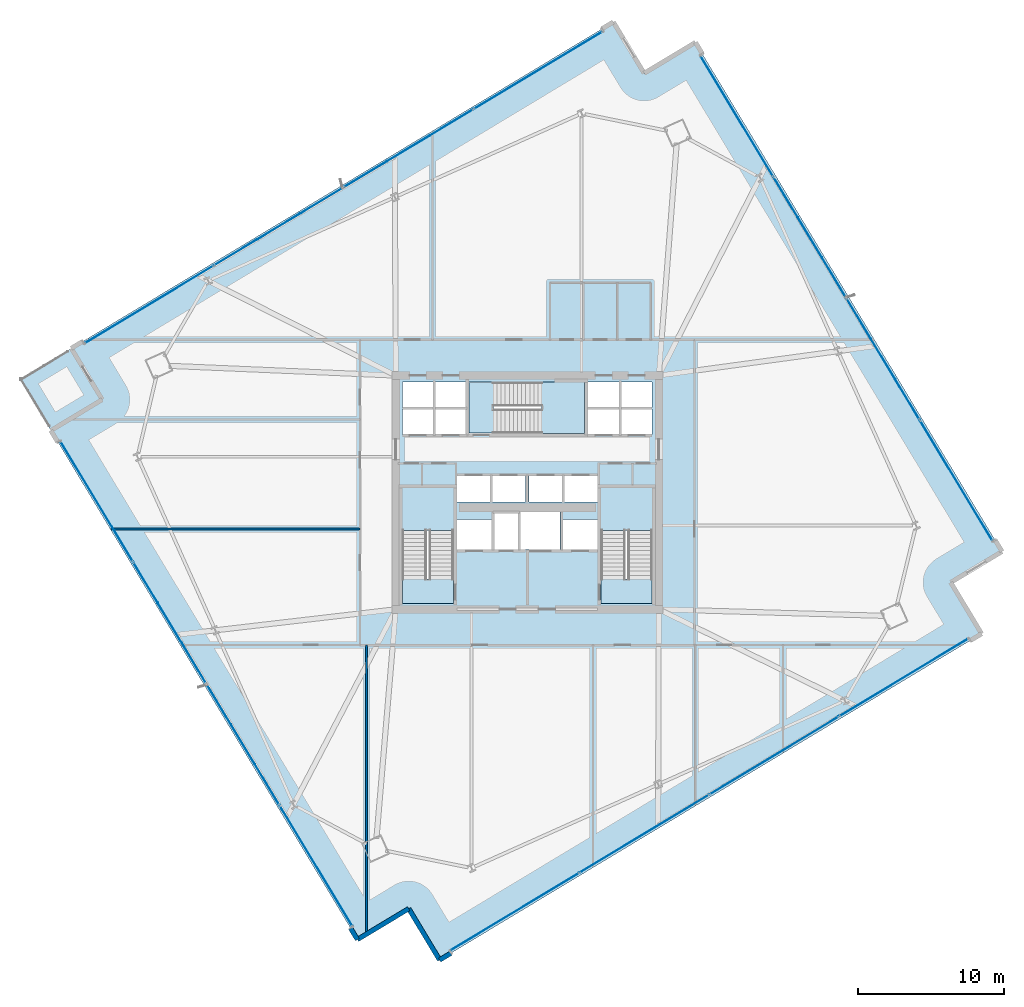
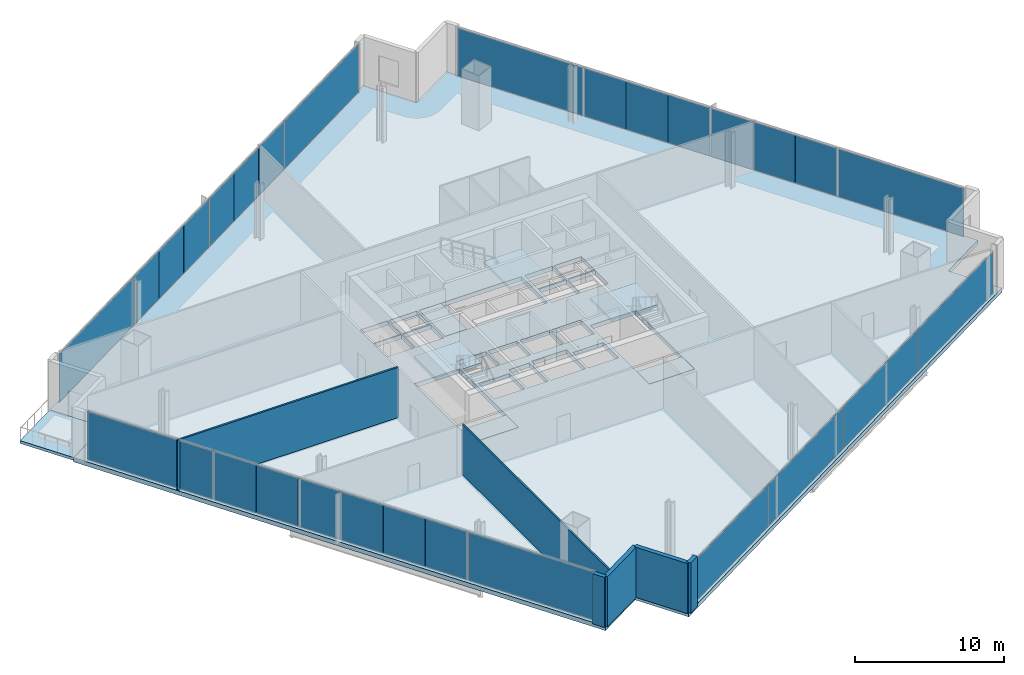
# One storey, part 22 of 30: 28 plates, 8 slabs, 6 walls, 7 elements without a shape of their own.
"""IFC4 building model written with IfcOpenShell, lengths in metres."""

from ifc_helpers import new_model, si_unit, direction, frame, frame_2d, origin, origin_2d, place, context, subcontext, project, spatial, polyline, rectangle, outline, extrude, source, transform, mapped, material, layer, layer_set, type_object, element, aggregate, save


model = new_model("IFC4")

# Units and contexts
model_context = context("Model", 3, precision=1e-05, world=origin(), true_north=direction((0.0, 1.0)))
body_context = subcontext(model_context, "Body", "Model", "MODEL_VIEW")
ifc_project = project(units=[si_unit("LENGTHUNIT", "METRE"), si_unit("AREAUNIT", "SQUARE_METRE"), si_unit("VOLUMEUNIT", "CUBIC_METRE"), si_unit("PLANEANGLEUNIT", "RADIAN"), si_unit("MASSUNIT", "GRAM", prefix="KILO")], contexts=[model_context])

# Site, building, storey
site_placement = place(None, origin())
site = spatial("IfcSite", under=ifc_project, at=site_placement, CompositionType="ELEMENT")
building_placement = place(site_placement, origin())
building = spatial("IfcBuilding", under=site, at=building_placement, Name="Haldenkirk Collegiate Tower", CompositionType="ELEMENT")
storey_placement = place(building_placement, frame((0.0, 0.0, 131.699951171875)))
storey = spatial("IfcBuildingStorey", under=building, at=storey_placement, Name="L32", CompositionType="ELEMENT", Elevation=131.699951171875)

# Slab
ifc_material_1 = material(Name="Concrete f'c 40 MPa", Category="concrete")
ifc_layer_1 = layer(ifc_material_1, 0.35009765625)
ifc_layer_set_1 = layer_set([ifc_layer_1], Name="Concrete f'c 40 MPa")
slab_type_1 = type_object("IfcSlabType", Name="SLB-FLR-350", PredefinedType="FLOOR", material=ifc_layer_set_1)
slab_1_placement = place(storey_placement, frame((0.0, 0.0, -0.349853515625)))
element("IfcSlab", 1, at=slab_1_placement, inside=storey, type_object=slab_type_1, Name="L32 composite structural floor slab", PredefinedType="FLOOR", context=body_context, shape_type="SweptSolid", body=[
    extrude(outline(polyline([(29.99853515625, -6.00634765625), (67.094482421875, 16.3271484375), (64.979736328125, 19.839599609375), (68.4921875, 21.954345703125), (47.5126953125, 56.801513671875), (44.0, 54.6865234375), (41.885498046875, 58.19921875), (4.78955078125, 35.86572265625), (6.904296875, 32.35302734375), (3.3916015625, 30.23828125), (24.371337890625, -4.608642578125), (27.8837890625, -2.493896484375), (29.99853515625, -6.00634765625)]), holes=[polyline([(27.449951171875, 18.39990234375), (30.949951171875, 18.39990234375), (30.949951171875, 26.300048828125), (27.449951171875, 26.300048828125), (27.449951171875, 18.39990234375)]), polyline([(41.050048828125, 18.39990234375), (44.550048828125, 18.39990234375), (44.550048828125, 26.300048828125), (41.050048828125, 26.300048828125), (41.050048828125, 18.39990234375)]), polyline([(32.0, 30.050048828125), (39.89990234375, 30.050048828125), (39.89990234375, 33.550048828125), (32.0, 33.550048828125), (32.0, 30.050048828125)]), polyline([(33.75, 22.10009765625), (35.35009765625, 22.10009765625), (35.35009765625, 24.550048828125), (33.75, 24.550048828125), (33.75, 22.10009765625)]), polyline([(27.449951171875, 29.949951171875), (29.580078125, 29.949951171875), (29.580078125, 31.699951171875), (27.449951171875, 31.699951171875), (27.449951171875, 29.949951171875)]), polyline([(29.679931640625, 29.949951171875), (31.85009765625, 29.949951171875), (31.85009765625, 31.699951171875), (29.679931640625, 31.699951171875), (29.679931640625, 29.949951171875)]), polyline([(27.449951171875, 31.800048828125), (29.580078125, 31.800048828125), (29.580078125, 33.550048828125), (27.449951171875, 33.550048828125), (27.449951171875, 31.800048828125)]), polyline([(29.679931640625, 31.800048828125), (31.85009765625, 31.800048828125), (31.85009765625, 33.550048828125), (29.679931640625, 33.550048828125), (29.679931640625, 31.800048828125)]), polyline([(40.14990234375, 29.949951171875), (42.320068359375, 29.949951171875), (42.320068359375, 31.699951171875), (40.14990234375, 31.699951171875), (40.14990234375, 29.949951171875)]), polyline([(42.419921875, 29.949951171875), (44.550048828125, 29.949951171875), (44.550048828125, 31.699951171875), (42.419921875, 31.699951171875), (42.419921875, 29.949951171875)]), polyline([(40.14990234375, 31.800048828125), (42.320068359375, 31.800048828125), (42.320068359375, 33.550048828125), (40.14990234375, 33.550048828125), (40.14990234375, 31.800048828125)]), polyline([(42.419921875, 31.800048828125), (44.550048828125, 31.800048828125), (44.550048828125, 33.550048828125), (42.419921875, 33.550048828125), (42.419921875, 31.800048828125)]), polyline([(31.199951171875, 25.35009765625), (33.47998046875, 25.35009765625), (33.47998046875, 27.14990234375), (31.199951171875, 27.14990234375), (31.199951171875, 25.35009765625)]), polyline([(33.60009765625, 25.35009765625), (35.8798828125, 25.35009765625), (35.8798828125, 27.14990234375), (33.60009765625, 27.14990234375), (33.60009765625, 25.35009765625)]), polyline([(36.1201171875, 25.35009765625), (38.39990234375, 25.35009765625), (38.39990234375, 27.14990234375), (36.1201171875, 27.14990234375), (36.1201171875, 25.35009765625)]), polyline([(38.52001953125, 25.35009765625), (40.800048828125, 25.35009765625), (40.800048828125, 27.14990234375), (38.52001953125, 27.14990234375), (38.52001953125, 25.35009765625)]), polyline([(31.199951171875, 22.10009765625), (33.550048828125, 22.10009765625), (33.550048828125, 24.14990234375), (31.199951171875, 24.14990234375), (31.199951171875, 22.10009765625)]), polyline([(38.449951171875, 22.10009765625), (40.800048828125, 22.10009765625), (40.800048828125, 24.14990234375), (38.449951171875, 24.14990234375), (38.449951171875, 22.10009765625)]), polyline([(35.550048828125, 22.10009765625), (38.25, 22.10009765625), (38.25, 24.64990234375), (35.550048828125, 24.64990234375), (35.550048828125, 22.10009765625)])]), origin(), (0.0, 0.0, 1.0), 0.349853515625),
])

# Stair, slab
stair_type = type_object("IfcStairType", Name="STR-DOGLEG-1650", PredefinedType="HALF_TURN_STAIR", material=ifc_material_1)
stair_1_placement = place(storey_placement, origin())
stair_1 = element("IfcStair", 2, at=stair_1_placement, inside=storey, type_object=stair_type, Name="L32 Core Exit Stair ST-1", PredefinedType="HALF_TURN_STAIR")
ifc_layer_2 = layer(ifc_material_1, 0.199951171875)
ifc_layer_set_2 = layer_set([ifc_layer_2], Name="Concrete f'c 40 MPa")
slab_type_2 = type_object("IfcSlabType", Name="SLB-LANDING-200", PredefinedType="LANDING", material=ifc_layer_set_2)
slab_2_placement = place(storey_placement, frame((0.0, 0.0, 2.050048828125)))
slab_2 = element("IfcSlab", 3, at=slab_2_placement, type_object=slab_type_2, Name="ST-1 landing 1", PredefinedType="LANDING", context=body_context, shape_type="SweptSolid", body=[
    extrude(outline(polyline([(30.97509765625, 23.385009765625), (27.425048828125, 23.385009765625), (27.425048828125, 26.324951171875), (30.97509765625, 26.324951171875), (30.97509765625, 23.385009765625)])), origin(), (0.0, 0.0, 1.0), 0.199951171875),
])
aggregate(stair_1, [slab_2])

stair_2_placement = place(storey_placement, origin())
stair_2 = element("IfcStair", 4, at=stair_2_placement, inside=storey, type_object=stair_type, Name="L32 Core Exit Stair ST-2", PredefinedType="HALF_TURN_STAIR")
slab_3_placement = place(storey_placement, frame((0.0, 0.0, 2.050048828125)))
slab_3 = element("IfcSlab", 5, at=slab_3_placement, type_object=slab_type_2, Name="ST-2 landing 1", PredefinedType="LANDING", context=body_context, shape_type="SweptSolid", body=[
    extrude(outline(polyline([(44.574951171875, 23.385009765625), (41.02490234375, 23.385009765625), (41.02490234375, 26.324951171875), (44.574951171875, 26.324951171875), (44.574951171875, 23.385009765625)])), origin(), (0.0, 0.0, 1.0), 0.199951171875),
])
aggregate(stair_2, [slab_3])

stair_3_placement = place(storey_placement, origin())
stair_3 = element("IfcStair", 6, at=stair_3_placement, inside=storey, type_object=stair_type, Name="L32 Core Exit Stair ST-3", PredefinedType="HALF_TURN_STAIR")
slab_4_placement = place(storey_placement, frame((0.0, 0.0, 2.050048828125)))
slab_4 = element("IfcSlab", 7, at=slab_4_placement, type_object=slab_type_2, Name="ST-3 landing 1", PredefinedType="LANDING", context=body_context, shape_type="SweptSolid", body=[
    extrude(outline(polyline([(36.985107421875, 30.02490234375), (36.985107421875, 33.574951171875), (39.925048828125, 33.574951171875), (39.925048828125, 30.02490234375), (36.985107421875, 30.02490234375)])), origin(), (0.0, 0.0, 1.0), 0.199951171875),
])
aggregate(stair_3, [slab_4])

# Slabs
ifc_layer_3 = layer(ifc_material_1, 0.25)
ifc_layer_set_3 = layer_set([ifc_layer_3], Name="Concrete f'c 40 MPa")
slab_type_3 = type_object("IfcSlabType", Name="SLB-STAIRLAND-250", PredefinedType="LANDING", material=ifc_layer_set_3)
slab_5_placement = place(storey_placement, frame((0.0, 0.0, -0.25)))
element("IfcSlab", 8, at=slab_5_placement, inside=storey, type_object=slab_type_3, Name="L32 stair ST1 structural floor landing slab", PredefinedType="LANDING", context=body_context, shape_type="SweptSolid", body=[
    extrude(outline(polyline([(27.4599609375, 18.409912109375), (30.93994140625, 18.409912109375), (30.93994140625, 20.080078125), (27.4599609375, 20.080078125), (27.4599609375, 18.409912109375)])), origin(), (0.0, 0.0, 1.0), 0.25),
])
slab_6_placement = place(storey_placement, frame((0.0, 0.0, -0.25)))
element("IfcSlab", 9, at=slab_6_placement, inside=storey, type_object=slab_type_3, Name="L32 stair ST2 structural floor landing slab", PredefinedType="LANDING", context=body_context, shape_type="SweptSolid", body=[
    extrude(outline(polyline([(41.06005859375, 18.409912109375), (44.5400390625, 18.409912109375), (44.5400390625, 20.080078125), (41.06005859375, 20.080078125), (41.06005859375, 18.409912109375)])), origin(), (0.0, 0.0, 1.0), 0.25),
])
slab_7_placement = place(storey_placement, frame((0.0, 0.0, -0.25)))
element("IfcSlab", 10, at=slab_7_placement, inside=storey, type_object=slab_type_3, Name="L32 stair ST3 structural floor landing slab", PredefinedType="LANDING", context=body_context, shape_type="SweptSolid", body=[
    extrude(outline(polyline([(32.010009765625, 30.06005859375), (33.679931640625, 30.06005859375), (33.679931640625, 33.5400390625), (32.010009765625, 33.5400390625), (32.010009765625, 30.06005859375)])), origin(), (0.0, 0.0, 1.0), 0.25),
])
ifc_layer_4 = layer(ifc_material_1, 0.22998046875)
ifc_layer_set_4 = layer_set([ifc_layer_4], Name="Concrete f'c 40 MPa")
slab_type_4 = type_object("IfcSlabType", Name="SLB-TERR-SPIRAL-230", PredefinedType="FLOOR", material=ifc_layer_set_4)
slab_8_placement = place(storey_placement, frame((0.0, 0.0, -0.22998046875)))
element("IfcSlab", 11, at=slab_8_placement, inside=storey, type_object=slab_type_4, Name="L32 spiralling corner terrace slab", PredefinedType="FLOOR", context=body_context, shape_type="SweptSolid", body=[
    extrude(outline(polyline([(3.3916015625, 30.23828125), (6.904296875, 32.35302734375), (4.78955078125, 35.86572265625), (1.277099609375, 33.7509765625), (3.3916015625, 30.23828125)])), origin(), (0.0, 0.0, 1.0), 0.22998046875),
])

# Curtain wall, plates
ifc_material_2 = material(Name="Anodised architectural bronze aluminium", Category="aluminium")
curtain_wall_type_1 = type_object("IfcCurtainWallType", Name="CW-SYS2-CONCAVE", PredefinedType="USERDEFINED", material=ifc_material_2)
curtain_wall_1_placement = place(storey_placement, origin())
curtain_wall_1 = element("IfcCurtainWall", 12, at=curtain_wall_1_placement, inside=storey, type_object=curtain_wall_type_1, Name="L32 South concave recessed bronze-anodised curtain wall", ObjectType="UNITISED CURTAIN WALL", PredefinedType="USERDEFINED")
ifc_material_3 = material(Name="Low-E argon triple insulating glass", Category="glass")
ifc_layer_5 = layer(ifc_material_3, 0.0419921875)
ifc_layer_set_5 = layer_set([ifc_layer_5], Name="Low-E argon triple insulating glass")
plate_type_1 = type_object("IfcPlateType", Name="CW-PNL-02", PredefinedType="CURTAIN_PANEL", material=ifc_layer_set_5)
shared_shape_1 = source(origin(), body_context, "Body", "SweptSolid", [
    extrude(rectangle(XDim=10.262451171875, YDim=0.0419921875, at=origin_2d()), origin(), (0.0, 0.0, 1.0), 3.40087890625),
])
plate_1_placement = place(storey_placement, frame((61.770263671875, 13.331787109375, 0.0751953125), z_axis=(0.0, 0.0, 1.0), x_axis=(-0.856717823453, -0.515785392366, 0.0)))
plate_1 = element("IfcPlate", 13, at=plate_1_placement, type_object=plate_type_1, Name="CW-02 panel 1.1", PredefinedType="CURTAIN_PANEL", context=body_context, shape_type="MappedRepresentation", body=[
    mapped(shared_shape_1, transform((0.0, 0.0, 0.0), x_axis=(1.0, 0.0, 0.0), y_axis=(0.0, 1.0, 0.0), z_axis=(0.0, 0.0, 1.0), scale=1.0)),
])
plate_2_placement = place(storey_placement, frame((35.13720703125, -2.70263671875, 0.0751953125), z_axis=(0.0, 0.0, 1.0), x_axis=(-0.856717823453, -0.515785392366, 0.0)))
plate_2 = element("IfcPlate", 14, at=plate_2_placement, type_object=plate_type_1, Name="CW-02 panel 4.1", PredefinedType="CURTAIN_PANEL", context=body_context, shape_type="MappedRepresentation", body=[
    mapped(shared_shape_1, transform((0.0, 0.0, 0.0), x_axis=(1.0, 0.0, 0.0), y_axis=(0.0, 1.0, 0.0), z_axis=(0.0, 0.0, 1.0), scale=1.0)),
])
shared_shape_2 = source(origin(), body_context, "Body", "SweptSolid", [
    extrude(rectangle(XDim=10.300048828125, YDim=0.0419921875, at=origin_2d()), origin(), (0.0, 0.0, 1.0), 3.40087890625),
])
plate_3_placement = place(storey_placement, frame((52.89794921875, 7.990234375, 0.0751953125), z_axis=(0.0, 0.0, 1.0), x_axis=(-0.856717823453, -0.515785392366, 0.0)))
plate_3 = element("IfcPlate", 15, at=plate_3_placement, type_object=plate_type_1, Name="CW-02 panel 2.1", PredefinedType="CURTAIN_PANEL", context=body_context, shape_type="MappedRepresentation", body=[
    mapped(shared_shape_2, transform((0.0, 0.0, 0.0), x_axis=(1.0, 0.0, 0.0), y_axis=(0.0, 1.0, 0.0), z_axis=(0.0, 0.0, 1.0), scale=1.0)),
])
plate_4_placement = place(storey_placement, frame((44.009521484375, 2.638916015625, 0.0751953125), z_axis=(0.0, 0.0, 1.0), x_axis=(-0.856717823453, -0.515785392366, 0.0)))
plate_4 = element("IfcPlate", 16, at=plate_4_placement, type_object=plate_type_1, Name="CW-02 panel 3.1", PredefinedType="CURTAIN_PANEL", context=body_context, shape_type="MappedRepresentation", body=[
    mapped(shared_shape_2, transform((0.0, 0.0, 0.0), x_axis=(1.0, 0.0, 0.0), y_axis=(0.0, 1.0, 0.0), z_axis=(0.0, 0.0, 1.0), scale=1.0)),
])
aggregate(curtain_wall_1, [plate_1, plate_3, plate_4, plate_2])

curtain_wall_type_2 = type_object("IfcCurtainWallType", Name="CW-SYS1-CONVEX-LOW", PredefinedType="USERDEFINED", material=ifc_material_2)
curtain_wall_2_placement = place(storey_placement, origin())
curtain_wall_2 = element("IfcCurtainWall", 17, at=curtain_wall_2_placement, inside=storey, type_object=curtain_wall_type_2, Name="L32 Lower tower convex bronze-framed unitised curtain wall", ObjectType="UNITISED CURTAIN WALL", PredefinedType="USERDEFINED")
ifc_layer_6 = layer(ifc_material_3, 0.0439453125)
ifc_layer_set_6 = layer_set([ifc_layer_6], Name="Low-E argon triple insulating glass")
plate_type_2 = type_object("IfcPlateType", Name="CW-PNL-1A", PredefinedType="CURTAIN_PANEL", material=ifc_layer_set_6)
shared_shape_3 = source(origin(), body_context, "Body", "SweptSolid", [
    extrude(rectangle(XDim=9.598876953125, YDim=0.0439453125, at=origin_2d()), origin(), (0.0, 0.0, 1.0), 3.93994140625),
])
plate_5_placement = place(storey_placement, frame((50.33935546875, 51.75732421875, 0.080078125), z_axis=(0.0, 0.0, 1.0), x_axis=(0.51578323833, -0.856719120283, 0.0)))
plate_5 = element("IfcPlate", 18, at=plate_5_placement, type_object=plate_type_2, Name="CW-1A panel 1.1", PredefinedType="CURTAIN_PANEL", context=body_context, shape_type="MappedRepresentation", body=[
    mapped(shared_shape_3, transform((0.0, 0.0, 0.0), x_axis=(1.0, 0.0, 0.0), y_axis=(0.0, 1.0, 0.0), z_axis=(0.0, 0.0, 1.0), scale=1.0)),
])
plate_6_placement = place(storey_placement, frame((65.357177734375, 26.812744140625, 0.080078125), z_axis=(0.0, 0.0, 1.0), x_axis=(0.51578323833, -0.856719120283, 0.0)))
plate_6 = element("IfcPlate", 19, at=plate_6_placement, type_object=plate_type_2, Name="CW-1A panel 4.1", PredefinedType="CURTAIN_PANEL", context=body_context, shape_type="MappedRepresentation", body=[
    mapped(shared_shape_3, transform((0.0, 0.0, 0.0), x_axis=(1.0, 0.0, 0.0), y_axis=(0.0, 1.0, 0.0), z_axis=(0.0, 0.0, 1.0), scale=1.0)),
])

curtain_wall_3_placement = place(storey_placement, origin())
curtain_wall_3 = element("IfcCurtainWall", 20, at=curtain_wall_3_placement, inside=storey, type_object=curtain_wall_type_2, Name="L32 Lower tower convex bronze-framed unitised curtain wall", ObjectType="UNITISED CURTAIN WALL", PredefinedType="USERDEFINED")
plate_7_placement = place(storey_placement, frame((21.544677734375, 0.435546875, 0.080078125), z_axis=(0.0, 0.0, 1.0), x_axis=(-0.515785126345, 0.85671798361, 0.0)))
plate_7 = element("IfcPlate", 21, at=plate_7_placement, type_object=plate_type_2, Name="CW-1A panel 1.1", PredefinedType="CURTAIN_PANEL", context=body_context, shape_type="MappedRepresentation", body=[
    mapped(shared_shape_3, transform((0.0, 0.0, 0.0), x_axis=(1.0, 0.0, 0.0), y_axis=(0.0, 1.0, 0.0), z_axis=(0.0, 0.0, 1.0), scale=1.0)),
])
plate_8_placement = place(storey_placement, frame((6.52685546875, 25.3798828125, 0.080078125), z_axis=(0.0, 0.0, 1.0), x_axis=(-0.515785126345, 0.85671798361, 0.0)))
plate_8 = element("IfcPlate", 22, at=plate_8_placement, type_object=plate_type_2, Name="CW-1A panel 4.1", PredefinedType="CURTAIN_PANEL", context=body_context, shape_type="MappedRepresentation", body=[
    mapped(shared_shape_3, transform((0.0, 0.0, 0.0), x_axis=(1.0, 0.0, 0.0), y_axis=(0.0, 1.0, 0.0), z_axis=(0.0, 0.0, 1.0), scale=1.0)),
])

# Plate
shared_shape_4 = source(origin(), body_context, "Body", "SweptSolid", [
    extrude(rectangle(XDim=3.200439453125, YDim=0.0439453125, at=origin_2d()), origin(), (0.0, 0.0, 1.0), 3.93994140625),
])
plate_9_placement = place(storey_placement, frame((53.681396484375, 46.206298828125, 0.080078125), z_axis=(0.0, 0.0, 1.0), x_axis=(0.51578323833, -0.856719120283, 0.0)))
plate_9 = element("IfcPlate", 23, at=plate_9_placement, type_object=plate_type_2, Name="CW-1A panel 2.1a", PredefinedType="CURTAIN_PANEL", context=body_context, shape_type="MappedRepresentation", body=[
    mapped(shared_shape_4, transform((0.0, 0.0, 0.0), x_axis=(1.0, 0.0, 0.0), y_axis=(0.0, 1.0, 0.0), z_axis=(0.0, 0.0, 1.0), scale=1.0)),
])

ifc_material_4 = material(Name="Bronze-anodised insulated aluminium spandrel panel", Category="aluminium")
ifc_layer_7 = layer(ifc_material_4, 0.0439453125)
ifc_layer_set_7 = layer_set([ifc_layer_7], Name="Bronze-anodised insulated aluminium spandrel panel")
plate_type_3 = type_object("IfcPlateType", Name="CW-SPD-1A", PredefinedType="CURTAIN_PANEL", material=ifc_layer_set_7)
plate_10_placement = place(storey_placement, frame((57.002197265625, 40.690185546875, 0.080078125), z_axis=(0.0, 0.0, 1.0), x_axis=(0.51578323833, -0.856719120283, 0.0)))
plate_10 = element("IfcPlate", 24, at=plate_10_placement, type_object=plate_type_3, Name="CW-1A spandrel panel 2.1c", PredefinedType="CURTAIN_PANEL", context=body_context, shape_type="MappedRepresentation", body=[
    mapped(shared_shape_4, transform((0.0, 0.0, 0.0), x_axis=(1.0, 0.0, 0.0), y_axis=(0.0, 1.0, 0.0), z_axis=(0.0, 0.0, 1.0), scale=1.0)),
])

plate_11_placement = place(storey_placement, frame((58.694091796875, 37.8798828125, 0.080078125), z_axis=(0.0, 0.0, 1.0), x_axis=(0.51578323833, -0.856719120283, 0.0)))
plate_11 = element("IfcPlate", 25, at=plate_11_placement, type_object=plate_type_2, Name="CW-1A panel 3.1a", PredefinedType="CURTAIN_PANEL", context=body_context, shape_type="MappedRepresentation", body=[
    mapped(shared_shape_4, transform((0.0, 0.0, 0.0), x_axis=(1.0, 0.0, 0.0), y_axis=(0.0, 1.0, 0.0), z_axis=(0.0, 0.0, 1.0), scale=1.0)),
])

plate_12_placement = place(storey_placement, frame((62.014892578125, 32.364013671875, 0.080078125), z_axis=(0.0, 0.0, 1.0), x_axis=(0.51578323833, -0.856719120283, 0.0)))
plate_12 = element("IfcPlate", 26, at=plate_12_placement, type_object=plate_type_3, Name="CW-1A spandrel panel 3.1c", PredefinedType="CURTAIN_PANEL", context=body_context, shape_type="MappedRepresentation", body=[
    mapped(shared_shape_4, transform((0.0, 0.0, 0.0), x_axis=(1.0, 0.0, 0.0), y_axis=(0.0, 1.0, 0.0), z_axis=(0.0, 0.0, 1.0), scale=1.0)),
])

plate_13_placement = place(storey_placement, frame((18.202392578125, 5.986572265625, 0.080078125), z_axis=(0.0, 0.0, 1.0), x_axis=(-0.515785126345, 0.85671798361, 0.0)))
plate_13 = element("IfcPlate", 27, at=plate_13_placement, type_object=plate_type_2, Name="CW-1A panel 2.1a", PredefinedType="CURTAIN_PANEL", context=body_context, shape_type="MappedRepresentation", body=[
    mapped(shared_shape_4, transform((0.0, 0.0, 0.0), x_axis=(1.0, 0.0, 0.0), y_axis=(0.0, 1.0, 0.0), z_axis=(0.0, 0.0, 1.0), scale=1.0)),
])

plate_14_placement = place(storey_placement, frame((14.881591796875, 11.50244140625, 0.080078125), z_axis=(0.0, 0.0, 1.0), x_axis=(-0.515785126345, 0.85671798361, 0.0)))
plate_14 = element("IfcPlate", 28, at=plate_14_placement, type_object=plate_type_3, Name="CW-1A spandrel panel 2.1c", PredefinedType="CURTAIN_PANEL", context=body_context, shape_type="MappedRepresentation", body=[
    mapped(shared_shape_4, transform((0.0, 0.0, 0.0), x_axis=(1.0, 0.0, 0.0), y_axis=(0.0, 1.0, 0.0), z_axis=(0.0, 0.0, 1.0), scale=1.0)),
])

plate_15_placement = place(storey_placement, frame((13.189697265625, 14.31298828125, 0.080078125), z_axis=(0.0, 0.0, 1.0), x_axis=(-0.515785126345, 0.85671798361, 0.0)))
plate_15 = element("IfcPlate", 29, at=plate_15_placement, type_object=plate_type_2, Name="CW-1A panel 3.1a", PredefinedType="CURTAIN_PANEL", context=body_context, shape_type="MappedRepresentation", body=[
    mapped(shared_shape_4, transform((0.0, 0.0, 0.0), x_axis=(1.0, 0.0, 0.0), y_axis=(0.0, 1.0, 0.0), z_axis=(0.0, 0.0, 1.0), scale=1.0)),
])

plate_16_placement = place(storey_placement, frame((9.868896484375, 19.828857421875, 0.080078125), z_axis=(0.0, 0.0, 1.0), x_axis=(-0.515785126345, 0.85671798361, 0.0)))
plate_16 = element("IfcPlate", 30, at=plate_16_placement, type_object=plate_type_3, Name="CW-1A spandrel panel 3.1c", PredefinedType="CURTAIN_PANEL", context=body_context, shape_type="MappedRepresentation", body=[
    mapped(shared_shape_4, transform((0.0, 0.0, 0.0), x_axis=(1.0, 0.0, 0.0), y_axis=(0.0, 1.0, 0.0), z_axis=(0.0, 0.0, 1.0), scale=1.0)),
])

shared_shape_5 = source(origin(), body_context, "Body", "SweptSolid", [
    extrude(rectangle(XDim=3.18798828125, YDim=0.0439453125, at=origin_2d()), origin(), (0.0, 0.0, 1.0), 3.93994140625),
])
plate_17_placement = place(storey_placement, frame((55.341796875, 43.4482421875, 0.080078125), z_axis=(0.0, 0.0, 1.0), x_axis=(0.51578323833, -0.856719120283, 0.0)))
plate_17 = element("IfcPlate", 31, at=plate_17_placement, type_object=plate_type_2, Name="CW-1A panel 2.1b", PredefinedType="CURTAIN_PANEL", context=body_context, shape_type="MappedRepresentation", body=[
    mapped(shared_shape_5, transform((0.0, 0.0, 0.0), x_axis=(1.0, 0.0, 0.0), y_axis=(0.0, 1.0, 0.0), z_axis=(0.0, 0.0, 1.0), scale=1.0)),
])

plate_18_placement = place(storey_placement, frame((60.3544921875, 35.1220703125, 0.080078125), z_axis=(0.0, 0.0, 1.0), x_axis=(0.51578323833, -0.856719120283, 0.0)))
plate_18 = element("IfcPlate", 32, at=plate_18_placement, type_object=plate_type_2, Name="CW-1A panel 3.1b", PredefinedType="CURTAIN_PANEL", context=body_context, shape_type="MappedRepresentation", body=[
    mapped(shared_shape_5, transform((0.0, 0.0, 0.0), x_axis=(1.0, 0.0, 0.0), y_axis=(0.0, 1.0, 0.0), z_axis=(0.0, 0.0, 1.0), scale=1.0)),
])

aggregate(curtain_wall_2, [plate_5, plate_9, plate_17, plate_10, plate_11, plate_18, plate_12, plate_6])

plate_19_placement = place(storey_placement, frame((16.5419921875, 8.74462890625, 0.080078125), z_axis=(0.0, 0.0, 1.0), x_axis=(-0.515785126345, 0.85671798361, 0.0)))
plate_19 = element("IfcPlate", 33, at=plate_19_placement, type_object=plate_type_3, Name="CW-1A spandrel panel 2.1b", PredefinedType="CURTAIN_PANEL", context=body_context, shape_type="MappedRepresentation", body=[
    mapped(shared_shape_5, transform((0.0, 0.0, 0.0), x_axis=(1.0, 0.0, 0.0), y_axis=(0.0, 1.0, 0.0), z_axis=(0.0, 0.0, 1.0), scale=1.0)),
])

plate_20_placement = place(storey_placement, frame((11.529296875, 17.07080078125, 0.080078125), z_axis=(0.0, 0.0, 1.0), x_axis=(-0.515785126345, 0.85671798361, 0.0)))
plate_20 = element("IfcPlate", 34, at=plate_20_placement, type_object=plate_type_2, Name="CW-1A panel 3.1b", PredefinedType="CURTAIN_PANEL", context=body_context, shape_type="MappedRepresentation", body=[
    mapped(shared_shape_5, transform((0.0, 0.0, 0.0), x_axis=(1.0, 0.0, 0.0), y_axis=(0.0, 1.0, 0.0), z_axis=(0.0, 0.0, 1.0), scale=1.0)),
])

aggregate(curtain_wall_3, [plate_7, plate_13, plate_19, plate_14, plate_15, plate_20, plate_16, plate_8])

# Curtain wall, plates
curtain_wall_4_placement = place(storey_placement, origin())
curtain_wall_4 = element("IfcCurtainWall", 35, at=curtain_wall_4_placement, inside=storey, type_object=curtain_wall_type_2, Name="L32 Lower tower convex bronze-framed unitised curtain wall", ObjectType="UNITISED CURTAIN WALL", PredefinedType="USERDEFINED")
shared_shape_6 = source(origin(), body_context, "Body", "SweptSolid", [
    extrude(rectangle(XDim=10.255126953125, YDim=0.0439453125, at=origin_2d()), origin(), (0.0, 0.0, 1.0), 3.93994140625),
])
plate_21_placement = place(storey_placement, frame((10.11474609375, 38.861572265625, 0.080078125), z_axis=(0.0, 0.0, 1.0), x_axis=(0.856718464505, 0.51578432758, 0.0)))
plate_21 = element("IfcPlate", 36, at=plate_21_placement, type_object=plate_type_2, Name="CW-1A panel 1.1", PredefinedType="CURTAIN_PANEL", context=body_context, shape_type="MappedRepresentation", body=[
    mapped(shared_shape_6, transform((0.0, 0.0, 0.0), x_axis=(1.0, 0.0, 0.0), y_axis=(0.0, 1.0, 0.0), z_axis=(0.0, 0.0, 1.0), scale=1.0)),
])
plate_22_placement = place(storey_placement, frame((36.745849609375, 54.894775390625, 0.080078125), z_axis=(0.0, 0.0, 1.0), x_axis=(0.856718464505, 0.51578432758, 0.0)))
plate_22 = element("IfcPlate", 37, at=plate_22_placement, type_object=plate_type_2, Name="CW-1A panel 4.1", PredefinedType="CURTAIN_PANEL", context=body_context, shape_type="MappedRepresentation", body=[
    mapped(shared_shape_6, transform((0.0, 0.0, 0.0), x_axis=(1.0, 0.0, 0.0), y_axis=(0.0, 1.0, 0.0), z_axis=(0.0, 0.0, 1.0), scale=1.0)),
])
shared_shape_7 = source(origin(), body_context, "Body", "SweptSolid", [
    extrude(rectangle(XDim=3.419189453125, YDim=0.0439453125, at=origin_2d()), origin(), (0.0, 0.0, 1.0), 3.93994140625),
])
plate_23_placement = place(storey_placement, frame((16.040771484375, 42.429443359375, 0.080078125), z_axis=(0.0, 0.0, 1.0), x_axis=(0.856718464505, 0.51578432758, 0.0)))
plate_23 = element("IfcPlate", 38, at=plate_23_placement, type_object=plate_type_2, Name="CW-1A panel 2.1a", PredefinedType="CURTAIN_PANEL", context=body_context, shape_type="MappedRepresentation", body=[
    mapped(shared_shape_7, transform((0.0, 0.0, 0.0), x_axis=(1.0, 0.0, 0.0), y_axis=(0.0, 1.0, 0.0), z_axis=(0.0, 0.0, 1.0), scale=1.0)),
])
plate_24_placement = place(storey_placement, frame((21.931396484375, 45.975830078125, 0.080078125), z_axis=(0.0, 0.0, 1.0), x_axis=(0.856718464505, 0.51578432758, 0.0)))
plate_24 = element("IfcPlate", 39, at=plate_24_placement, type_object=plate_type_3, Name="CW-1A spandrel panel 2.1c", PredefinedType="CURTAIN_PANEL", context=body_context, shape_type="MappedRepresentation", body=[
    mapped(shared_shape_7, transform((0.0, 0.0, 0.0), x_axis=(1.0, 0.0, 0.0), y_axis=(0.0, 1.0, 0.0), z_axis=(0.0, 0.0, 1.0), scale=1.0)),
])
plate_25_placement = place(storey_placement, frame((24.92919921875, 47.78076171875, 0.080078125), z_axis=(0.0, 0.0, 1.0), x_axis=(0.856718464505, 0.51578432758, 0.0)))
plate_25 = element("IfcPlate", 40, at=plate_25_placement, type_object=plate_type_2, Name="CW-1A panel 3.1a", PredefinedType="CURTAIN_PANEL", context=body_context, shape_type="MappedRepresentation", body=[
    mapped(shared_shape_7, transform((0.0, 0.0, 0.0), x_axis=(1.0, 0.0, 0.0), y_axis=(0.0, 1.0, 0.0), z_axis=(0.0, 0.0, 1.0), scale=1.0)),
])
plate_26_placement = place(storey_placement, frame((30.81982421875, 51.3271484375, 0.080078125), z_axis=(0.0, 0.0, 1.0), x_axis=(0.856718464505, 0.51578432758, 0.0)))
plate_26 = element("IfcPlate", 41, at=plate_26_placement, type_object=plate_type_3, Name="CW-1A spandrel panel 3.1c", PredefinedType="CURTAIN_PANEL", context=body_context, shape_type="MappedRepresentation", body=[
    mapped(shared_shape_7, transform((0.0, 0.0, 0.0), x_axis=(1.0, 0.0, 0.0), y_axis=(0.0, 1.0, 0.0), z_axis=(0.0, 0.0, 1.0), scale=1.0)),
])
shared_shape_8 = source(origin(), body_context, "Body", "SweptSolid", [
    extrude(rectangle(XDim=3.40673828125, YDim=0.0439453125, at=origin_2d()), origin(), (0.0, 0.0, 1.0), 3.93994140625),
])
plate_27_placement = place(storey_placement, frame((18.986083984375, 44.20263671875, 0.080078125), z_axis=(0.0, 0.0, 1.0), x_axis=(0.856718464505, 0.51578432758, 0.0)))
plate_27 = element("IfcPlate", 42, at=plate_27_placement, type_object=plate_type_2, Name="CW-1A panel 2.1b", PredefinedType="CURTAIN_PANEL", context=body_context, shape_type="MappedRepresentation", body=[
    mapped(shared_shape_8, transform((0.0, 0.0, 0.0), x_axis=(1.0, 0.0, 0.0), y_axis=(0.0, 1.0, 0.0), z_axis=(0.0, 0.0, 1.0), scale=1.0)),
])
plate_28_placement = place(storey_placement, frame((27.87451171875, 49.553955078125, 0.080078125), z_axis=(0.0, 0.0, 1.0), x_axis=(0.856718464505, 0.51578432758, 0.0)))
plate_28 = element("IfcPlate", 43, at=plate_28_placement, type_object=plate_type_2, Name="CW-1A panel 3.1b", PredefinedType="CURTAIN_PANEL", context=body_context, shape_type="MappedRepresentation", body=[
    mapped(shared_shape_8, transform((0.0, 0.0, 0.0), x_axis=(1.0, 0.0, 0.0), y_axis=(0.0, 1.0, 0.0), z_axis=(0.0, 0.0, 1.0), scale=1.0)),
])
aggregate(curtain_wall_4, [plate_21, plate_23, plate_27, plate_24, plate_25, plate_28, plate_26, plate_22])

# Walls
ifc_material_5 = material(Name="Precast concrete f'c 40 MPa", Category="concrete")
ifc_layer_8 = layer(ifc_material_5, 0.320068359375)
ifc_layer_set_8 = layer_set([ifc_layer_8], Name="Precast concrete f'c 40 MPa")
wall_type_1 = type_object("IfcWallType", Name="WL-EXT-TWR-320", PredefinedType="STANDARD", material=ifc_layer_set_8)
wall_1_placement = place(storey_placement, frame((30.76953125, -5.542236328125, 0.0), z_axis=(0.0, 0.0, 1.0), x_axis=(-0.856749961863, -0.515732006809, 0.0)))
element("IfcWall", 44, at=wall_1_placement, inside=storey, type_object=wall_type_1, Name="L32 precast corner pier SR", PredefinedType="STANDARD", context=body_context, shape_type="SweptSolid", body=[
    extrude(rectangle(XDim=0.89990234375, YDim=0.320068359375, at=frame_2d((0.449951171875, 0.0))), origin(), (0.0, 0.0, 1.0), 4.10009765625),
])
wall_2_placement = place(storey_placement, frame((24.371337890625, -4.608642578125, 0.0), z_axis=(0.0, 0.0, 1.0), x_axis=(-0.51593110119, 0.856630082839, 0.0)))
element("IfcWall", 45, at=wall_2_placement, inside=storey, type_object=wall_type_1, Name="L32 precast corner pier WL", PredefinedType="STANDARD", context=body_context, shape_type="SweptSolid", body=[
    extrude(rectangle(XDim=0.900146484375, YDim=0.320068359375, at=frame_2d((0.4501953125, 0.0))), origin(), (0.0, 0.0, 1.0), 4.10009765625),
])
for number, where, z_axis, x_axis, name in (
    (46, (27.8837890625, -2.493896484375, 0.0), (0.0, 0.0, 1.0), (-0.856709059274, -0.515799949359, 0.0), "L32 bronze precast notch wall 11"),
    (47, (29.99853515625, -6.00634765625, 0.0), (0.0, 0.0, 1.0), (-0.515799949359, 0.856709059274, 0.0), "L32 bronze precast notch wall 12"),
):
    element("IfcWall", number, at=place(storey_placement, frame(where, z_axis=z_axis, x_axis=x_axis)), inside=storey, type_object=wall_type_1, Name=name, PredefinedType="STANDARD", context=body_context, shape_type="SweptSolid", body=[
        extrude(rectangle(XDim=4.099853515625, YDim=0.320068359375, at=frame_2d((2.0498046875, 0.0))), origin(), (0.0, 0.0, 1.0), 4.10009765625),
    ])
ifc_material_6 = material(Name="Acoustic fire-rated gypsum partition", Category="concrete")
ifc_layer_9 = layer(ifc_material_6, 0.139892578125)
ifc_layer_set_9 = layer_set([ifc_layer_9], Name="Acoustic fire-rated gypsum partition")
wall_type_2 = type_object("IfcWallType", Name="WL-INT-DIV-140", PredefinedType="PARTITIONING", material=ifc_layer_set_9)
wall_3_placement = place(storey_placement, frame((7.4951171875, 23.5, 0.0), z_axis=(0.0, 0.0, 1.0), x_axis=(1.0, 0.0, 0.0)))
element("IfcWall", 48, at=wall_3_placement, inside=storey, type_object=wall_type_2, Name="L32 interior partition IW-L32-RW1", PredefinedType="PARTITIONING", context=body_context, shape_type="SweptSolid", body=[
    extrude(rectangle(XDim=17.054931640625, YDim=0.139892578125, at=frame_2d((8.52734375, 0.0))), origin(), (0.0, 0.0, 1.0), 4.10009765625),
])
ifc_layer_10 = layer(ifc_material_6, 0.1201171875)
ifc_layer_set_10 = layer_set([ifc_layer_10], Name="Acoustic fire-rated gypsum partition")
wall_type_3 = type_object("IfcWallType", Name="WL-INT-WET-120", PredefinedType="PARTITIONING", material=ifc_layer_set_10)
wall_4_placement = place(storey_placement, frame((25.0, -4.183349609375, 0.0), z_axis=(0.0, 0.0, 1.0), x_axis=(0.0, 1.0, 0.0)))
element("IfcWall", 49, at=wall_4_placement, inside=storey, type_object=wall_type_3, Name="L32 interior partition IW-L32-RS1", PredefinedType="PARTITIONING", context=body_context, shape_type="SweptSolid", body=[
    extrude(rectangle(XDim=19.7333984375, YDim=0.1201171875, at=frame_2d((9.86669921875, 0.0))), origin(), (0.0, 0.0, 1.0), 4.10009765625),
])

save(model, "model.ifc")
